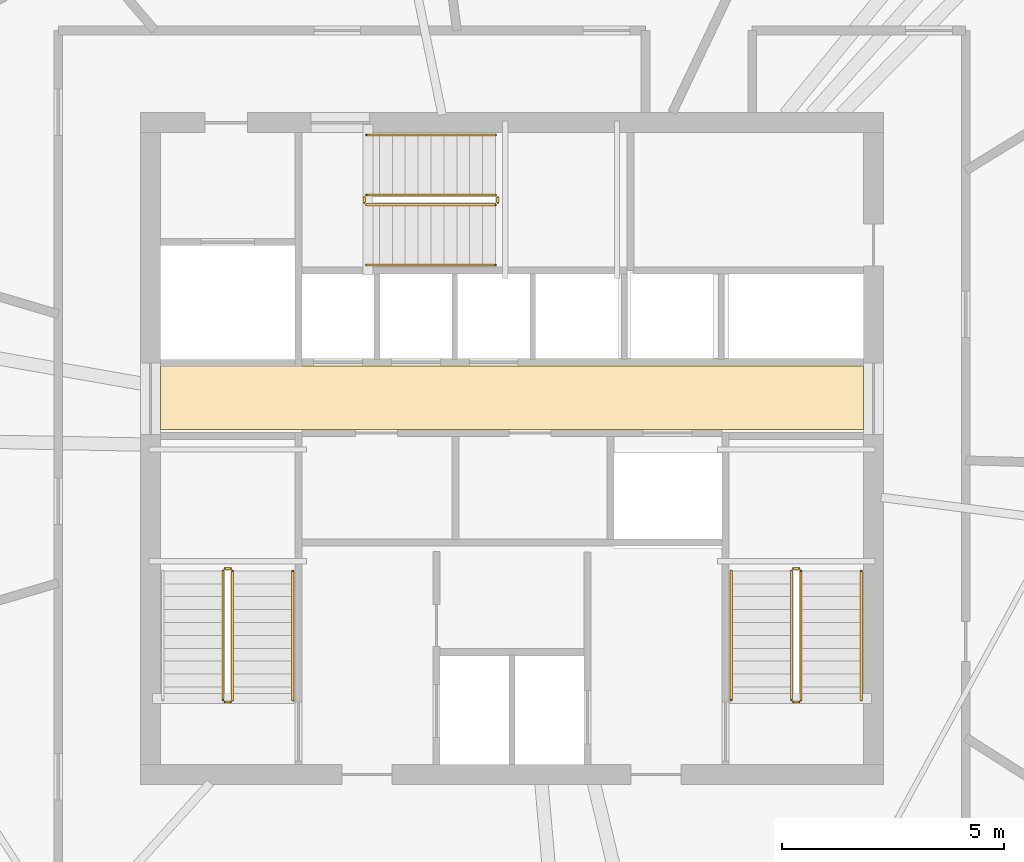
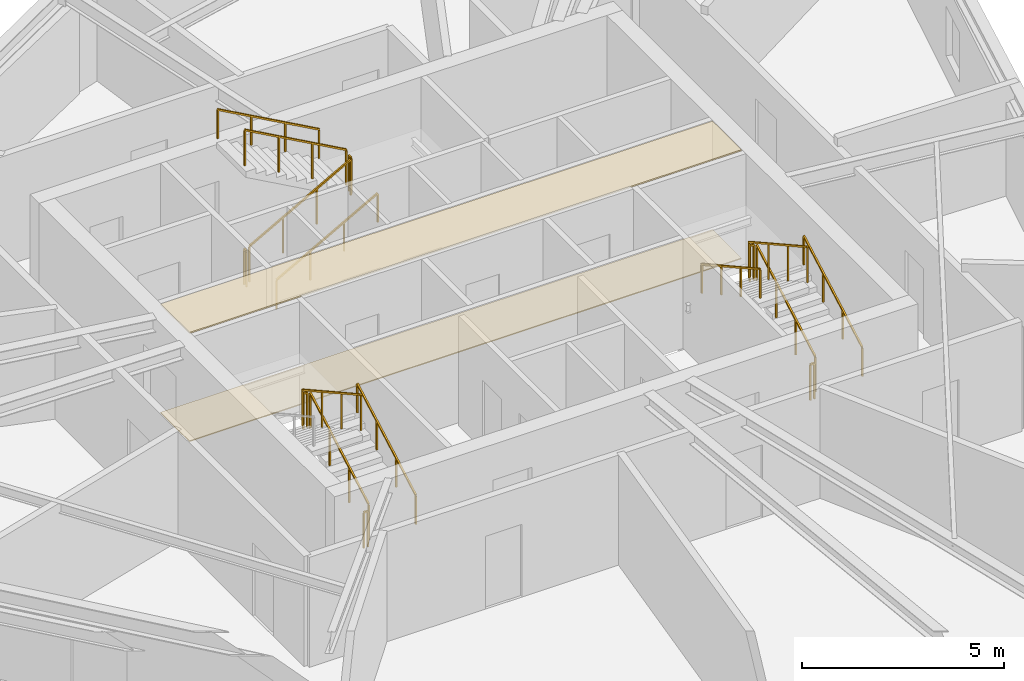
# One storey, part 12 of 13: 17 railings, 2 coverings.
"""IFC4 building model written with IfcOpenShell, lengths in metres."""

from ifc_helpers import new_model, si_unit, direction, frame, origin, origin_2d, place, context, subcontext, project, spatial, polyline, rectangle, outline, extrude, material, layer, layer_set, type_object, element, save


model = new_model("IFC4")

# Units and contexts
model_context = context("Model", 3, precision=1e-05, world=origin(), true_north=direction((0.0, 1.0)))
body_context = subcontext(model_context, "Body", "Model", "MODEL_VIEW")
ifc_project = project(units=[si_unit("LENGTHUNIT", "METRE"), si_unit("AREAUNIT", "SQUARE_METRE"), si_unit("VOLUMEUNIT", "CUBIC_METRE"), si_unit("PLANEANGLEUNIT", "RADIAN"), si_unit("MASSUNIT", "GRAM", prefix="KILO")], contexts=[model_context])

# Site, building, storey
site_placement = place(None, origin())
site = spatial("IfcSite", under=ifc_project, at=site_placement, CompositionType="ELEMENT")
building_placement = place(site_placement, origin())
building = spatial("IfcBuilding", under=site, at=building_placement, Name="Olszyna Solenne Hotel", CompositionType="ELEMENT")
storey_placement = place(building_placement, frame((0.0, 0.0, 227.35009765625)))
storey = spatial("IfcBuildingStorey", under=building, at=storey_placement, Name="L60", CompositionType="ELEMENT", Elevation=227.35009765625)

# Coverings
ifc_material_1 = material(Name="Mineral wool acoustic ceiling")
ifc_layer_1 = layer(ifc_material_1, 0.0400390625, Name="Mineral wool acoustic ceiling")
ifc_layer_set_1 = layer_set([ifc_layer_1], Name="Mineral wool acoustic ceiling")
covering_type_1 = type_object("IfcCoveringType", Name="CL-AC1", PredefinedType="CEILING", material=ifc_layer_set_1)
covering_1_placement = place(storey_placement, frame((0.0, 0.0, 3.27001953125)))
element("IfcCovering", 1, at=covering_1_placement, inside=storey, type_object=covering_type_1, Name="Lift lobby acoustic tile ceiling CL-L60-01", PredefinedType="CEILING", context=body_context, shape_type="SweptSolid", body=[
    extrude(outline(polyline([(30.10009765625, 27.030029296875), (45.89990234375, 27.030029296875), (45.89990234375, 28.4599609375), (30.10009765625, 28.4599609375), (30.10009765625, 27.030029296875)])), origin(), (0.0, 0.0, 1.0), 0.039794921875),
])
ifc_material_2 = material(Name="Ceramic floor tile")
ifc_layer_2 = layer(ifc_material_2, 0.030029296875, Name="Ceramic floor tile")
ifc_layer_set_2 = layer_set([ifc_layer_2], Name="Ceramic floor tile")
covering_type_2 = type_object("IfcCoveringType", Name="FL-TL1", PredefinedType="FLOORING", material=ifc_layer_set_2)
covering_2_placement = place(storey_placement, origin())
element("IfcCovering", 2, at=covering_2_placement, inside=storey, type_object=covering_type_2, Name="Lift lobby stoneware floor finish FLR-L60-01", PredefinedType="FLOORING", context=body_context, shape_type="SweptSolid", body=[
    extrude(outline(polyline([(30.10009765625, 27.030029296875), (45.89990234375, 27.030029296875), (45.89990234375, 28.4599609375), (30.10009765625, 28.4599609375), (30.10009765625, 27.030029296875)])), origin(), (0.0, 0.0, 1.0), 0.02978515625),
])

# Railings
ifc_material_3 = material(Name="Anodised bronze aluminium", Category="aluminium")
railing_type_1 = type_object("IfcRailingType", Name="GR-110", PredefinedType="BALUSTRADE", material=ifc_material_3)
railing_1_placement = place(storey_placement, frame((31.719970703125, 20.949951171875, 0.161376953125)))
element("IfcRailing", 3, at=railing_1_placement, inside=storey, type_object=railing_type_1, Name="L60 ST1 stair guard 1", PredefinedType="BALUSTRADE", context=body_context, shape_type="SweptSolid", body=[
    extrude(rectangle(XDim=0.048095703125, YDim=0.048095703125, at=origin_2d()), frame((0.0, 0.0, 1.076171875), z_axis=(0.0, 0.873858693841, 0.486179990537), x_axis=(-1.0, 0.0, 0.0)), (0.0, 0.0, 1.0), 3.31884765625),
    extrude(rectangle(XDim=0.0419921875, YDim=0.0419921875, at=origin_2d()), origin(), (0.0, 0.0, 1.0), 1.052001953125),
    extrude(rectangle(XDim=0.0419921875, YDim=0.0419921875, at=origin_2d()), frame((0.0, 0.966796875, 0.537841796875)), (0.0, 0.0, 1.0), 1.052001953125),
    extrude(rectangle(XDim=0.0419921875, YDim=0.0419921875, at=origin_2d()), frame((0.0, 1.933349609375, 1.07568359375)), (0.0, 0.0, 1.0), 1.052001953125),
    extrude(rectangle(XDim=0.0419921875, YDim=0.0419921875, at=origin_2d()), frame((0.0, 2.900146484375, 1.613525390625)), (0.0, 0.0, 1.0), 1.052001953125),
])
railing_2_placement = place(storey_placement, frame((31.669921875, 23.89990234375, 1.77490234375)))
element("IfcRailing", 4, at=railing_2_placement, inside=storey, type_object=railing_type_1, Name="L60 ST1 stair guard 2", PredefinedType="BALUSTRADE", context=body_context, shape_type="SweptSolid", body=[
    extrude(rectangle(XDim=0.048095703125, YDim=0.048095703125, at=origin_2d()), frame((0.0, 0.0, 1.076171875), z_axis=(-1.0, 0.0, 0.0), x_axis=(0.0, -1.0, 0.0)), (0.0, 0.0, 1.0), 0.119873046875),
    extrude(rectangle(XDim=0.0419921875, YDim=0.0419921875, at=origin_2d()), origin(), (0.0, 0.0, 1.0), 1.052001953125),
    extrude(rectangle(XDim=0.0419921875, YDim=0.0419921875, at=origin_2d()), frame((-0.119873046875, 0.0, 0.0)), (0.0, 0.0, 1.0), 1.052001953125),
])
railing_3_placement = place(storey_placement, frame((31.5, 23.85009765625, 1.936279296875)))
element("IfcRailing", 5, at=railing_3_placement, inside=storey, type_object=railing_type_1, Name="L60 ST1 stair guard 3", PredefinedType="BALUSTRADE", context=body_context, shape_type="SweptSolid", body=[
    extrude(rectangle(XDim=0.048095703125, YDim=0.048095703125, at=origin_2d()), frame((0.0, 0.0, 1.076171875), z_axis=(0.0, -0.873858693841, 0.486179990537), x_axis=(1.0, 0.0, 0.0)), (0.0, 0.0, 1.0), 3.31884765625),
    extrude(rectangle(XDim=0.0419921875, YDim=0.0419921875, at=origin_2d()), origin(), (0.0, 0.0, 1.0), 1.052001953125),
    extrude(rectangle(XDim=0.0419921875, YDim=0.0419921875, at=origin_2d()), frame((0.0, -0.966796875, 0.537841796875)), (0.0, 0.0, 1.0), 1.052001953125),
    extrude(rectangle(XDim=0.0419921875, YDim=0.0419921875, at=origin_2d()), frame((0.0, -1.933349609375, 1.07568359375)), (0.0, 0.0, 1.0), 1.052001953125),
    extrude(rectangle(XDim=0.0419921875, YDim=0.0419921875, at=origin_2d()), frame((0.0, -2.900146484375, 1.613525390625)), (0.0, 0.0, 1.0), 1.052001953125),
])
railing_4_placement = place(storey_placement, frame((31.669921875, 20.89990234375, 0.0)))
element("IfcRailing", 6, at=railing_4_placement, inside=storey, type_object=railing_type_1, Name="L60 ST1 stair guard 4", PredefinedType="BALUSTRADE", context=body_context, shape_type="SweptSolid", body=[
    extrude(rectangle(XDim=0.048095703125, YDim=0.048095703125, at=origin_2d()), frame((0.0, 0.0, 1.076171875), z_axis=(-1.0, 0.0, 0.0), x_axis=(0.0, -1.0, 0.0)), (0.0, 0.0, 1.0), 0.119873046875),
    extrude(rectangle(XDim=0.0419921875, YDim=0.0419921875, at=origin_2d()), origin(), (0.0, 0.0, 1.0), 1.052001953125),
    extrude(rectangle(XDim=0.0419921875, YDim=0.0419921875, at=origin_2d()), frame((-0.119873046875, 0.0, 0.0)), (0.0, 0.0, 1.0), 1.052001953125),
])
railing_5_placement = place(storey_placement, frame((44.5, 20.949951171875, 0.161376953125)))
element("IfcRailing", 7, at=railing_5_placement, inside=storey, type_object=railing_type_1, Name="L60 ST2 stair guard 1", PredefinedType="BALUSTRADE", context=body_context, shape_type="SweptSolid", body=[
    extrude(rectangle(XDim=0.048095703125, YDim=0.048095703125, at=origin_2d()), frame((0.0, 0.0, 1.076171875), z_axis=(0.0, 0.873858693841, 0.486179990537), x_axis=(-1.0, 0.0, 0.0)), (0.0, 0.0, 1.0), 3.31884765625),
    extrude(rectangle(XDim=0.0419921875, YDim=0.0419921875, at=origin_2d()), origin(), (0.0, 0.0, 1.0), 1.052001953125),
    extrude(rectangle(XDim=0.0419921875, YDim=0.0419921875, at=origin_2d()), frame((0.0, 0.966796875, 0.537841796875)), (0.0, 0.0, 1.0), 1.052001953125),
    extrude(rectangle(XDim=0.0419921875, YDim=0.0419921875, at=origin_2d()), frame((0.0, 1.933349609375, 1.07568359375)), (0.0, 0.0, 1.0), 1.052001953125),
    extrude(rectangle(XDim=0.0419921875, YDim=0.0419921875, at=origin_2d()), frame((0.0, 2.900146484375, 1.613525390625)), (0.0, 0.0, 1.0), 1.052001953125),
])
railing_6_placement = place(storey_placement, frame((44.449951171875, 23.89990234375, 1.77490234375)))
element("IfcRailing", 8, at=railing_6_placement, inside=storey, type_object=railing_type_1, Name="L60 ST2 stair guard 2", PredefinedType="BALUSTRADE", context=body_context, shape_type="SweptSolid", body=[
    extrude(rectangle(XDim=0.048095703125, YDim=0.048095703125, at=origin_2d()), frame((0.0, 0.0, 1.076171875), z_axis=(-1.0, 0.0, 0.0), x_axis=(0.0, -1.0, 0.0)), (0.0, 0.0, 1.0), 0.119873046875),
    extrude(rectangle(XDim=0.0419921875, YDim=0.0419921875, at=origin_2d()), origin(), (0.0, 0.0, 1.0), 1.052001953125),
    extrude(rectangle(XDim=0.0419921875, YDim=0.0419921875, at=origin_2d()), frame((-0.119873046875, 0.0, 0.0)), (0.0, 0.0, 1.0), 1.052001953125),
])
railing_7_placement = place(storey_placement, frame((44.280029296875, 23.85009765625, 1.936279296875)))
element("IfcRailing", 9, at=railing_7_placement, inside=storey, type_object=railing_type_1, Name="L60 ST2 stair guard 3", PredefinedType="BALUSTRADE", context=body_context, shape_type="SweptSolid", body=[
    extrude(rectangle(XDim=0.048095703125, YDim=0.048095703125, at=origin_2d()), frame((0.0, 0.0, 1.076171875), z_axis=(0.0, -0.873858693841, 0.486179990537), x_axis=(1.0, 0.0, 0.0)), (0.0, 0.0, 1.0), 3.31884765625),
    extrude(rectangle(XDim=0.0419921875, YDim=0.0419921875, at=origin_2d()), origin(), (0.0, 0.0, 1.0), 1.052001953125),
    extrude(rectangle(XDim=0.0419921875, YDim=0.0419921875, at=origin_2d()), frame((0.0, -0.966796875, 0.537841796875)), (0.0, 0.0, 1.0), 1.052001953125),
    extrude(rectangle(XDim=0.0419921875, YDim=0.0419921875, at=origin_2d()), frame((0.0, -1.933349609375, 1.07568359375)), (0.0, 0.0, 1.0), 1.052001953125),
    extrude(rectangle(XDim=0.0419921875, YDim=0.0419921875, at=origin_2d()), frame((0.0, -2.900146484375, 1.613525390625)), (0.0, 0.0, 1.0), 1.052001953125),
])
railing_8_placement = place(storey_placement, frame((44.449951171875, 20.89990234375, 0.0)))
element("IfcRailing", 10, at=railing_8_placement, inside=storey, type_object=railing_type_1, Name="L60 ST2 stair guard 4", PredefinedType="BALUSTRADE", context=body_context, shape_type="SweptSolid", body=[
    extrude(rectangle(XDim=0.048095703125, YDim=0.048095703125, at=origin_2d()), frame((0.0, 0.0, 1.076171875), z_axis=(-1.0, 0.0, 0.0), x_axis=(0.0, -1.0, 0.0)), (0.0, 0.0, 1.0), 0.119873046875),
    extrude(rectangle(XDim=0.0419921875, YDim=0.0419921875, at=origin_2d()), origin(), (0.0, 0.0, 1.0), 1.052001953125),
    extrude(rectangle(XDim=0.0419921875, YDim=0.0419921875, at=origin_2d()), frame((-0.119873046875, 0.0, 0.0)), (0.0, 0.0, 1.0), 1.052001953125),
])
railing_9_placement = place(storey_placement, frame((34.72998046875, 32.080078125, 0.161376953125)))
element("IfcRailing", 11, at=railing_9_placement, inside=storey, type_object=railing_type_1, Name="L60 ST3 stair guard 1", PredefinedType="BALUSTRADE", context=body_context, shape_type="SweptSolid", body=[
    extrude(rectangle(XDim=0.048095703125, YDim=0.048095703125, at=origin_2d()), frame((0.0, 0.0, 1.076171875), z_axis=(0.873841303929, 0.0, 0.486211245805), x_axis=(0.0, 1.0, 0.0)), (0.0, 0.0, 1.0), 3.318603515625),
    extrude(rectangle(XDim=0.0419921875, YDim=0.0419921875, at=origin_2d()), origin(), (0.0, 0.0, 1.0), 1.052001953125),
    extrude(rectangle(XDim=0.0419921875, YDim=0.0419921875, at=origin_2d()), frame((0.966552734375, 0.0, 0.537841796875)), (0.0, 0.0, 1.0), 1.052001953125),
    extrude(rectangle(XDim=0.0419921875, YDim=0.0419921875, at=origin_2d()), frame((1.933349609375, 0.0, 1.07568359375)), (0.0, 0.0, 1.0), 1.052001953125),
    extrude(rectangle(XDim=0.0419921875, YDim=0.0419921875, at=origin_2d()), frame((2.89990234375, 0.0, 1.613525390625)), (0.0, 0.0, 1.0), 1.052001953125),
])
railing_10_placement = place(storey_placement, frame((37.679931640625, 32.1298828125, 1.77490234375)))
element("IfcRailing", 12, at=railing_10_placement, inside=storey, type_object=railing_type_1, Name="L60 ST3 stair guard 2", PredefinedType="BALUSTRADE", context=body_context, shape_type="SweptSolid", body=[
    extrude(rectangle(XDim=0.048095703125, YDim=0.048095703125, at=origin_2d()), frame((0.0, 0.0, 1.076171875), z_axis=(0.0, 1.0, 0.0), x_axis=(-1.0, 0.0, 0.0)), (0.0, 0.0, 1.0), 0.1201171875),
    extrude(rectangle(XDim=0.0419921875, YDim=0.0419921875, at=origin_2d()), origin(), (0.0, 0.0, 1.0), 1.052001953125),
    extrude(rectangle(XDim=0.0419921875, YDim=0.0419921875, at=origin_2d()), frame((0.0, 0.1201171875, 0.0)), (0.0, 0.0, 1.0), 1.052001953125),
])
railing_11_placement = place(storey_placement, frame((37.6298828125, 32.300048828125, 1.936279296875)))
element("IfcRailing", 13, at=railing_11_placement, inside=storey, type_object=railing_type_1, Name="L60 ST3 stair guard 3", PredefinedType="BALUSTRADE", context=body_context, shape_type="SweptSolid", body=[
    extrude(rectangle(XDim=0.048095703125, YDim=0.048095703125, at=origin_2d()), frame((0.0, 0.0, 1.076171875), z_axis=(-0.873841303929, 0.0, 0.486211245805), x_axis=(0.0, -1.0, 0.0)), (0.0, 0.0, 1.0), 3.318603515625),
    extrude(rectangle(XDim=0.0419921875, YDim=0.0419921875, at=origin_2d()), origin(), (0.0, 0.0, 1.0), 1.052001953125),
    extrude(rectangle(XDim=0.0419921875, YDim=0.0419921875, at=origin_2d()), frame((-0.966552734375, 0.0, 0.537841796875)), (0.0, 0.0, 1.0), 1.052001953125),
    extrude(rectangle(XDim=0.0419921875, YDim=0.0419921875, at=origin_2d()), frame((-1.933349609375, 0.0, 1.07568359375)), (0.0, 0.0, 1.0), 1.052001953125),
    extrude(rectangle(XDim=0.0419921875, YDim=0.0419921875, at=origin_2d()), frame((-2.89990234375, 0.0, 1.613525390625)), (0.0, 0.0, 1.0), 1.052001953125),
])
railing_12_placement = place(storey_placement, frame((34.679931640625, 32.1298828125, 0.0)))
element("IfcRailing", 14, at=railing_12_placement, inside=storey, type_object=railing_type_1, Name="L60 ST3 stair guard 4", PredefinedType="BALUSTRADE", context=body_context, shape_type="SweptSolid", body=[
    extrude(rectangle(XDim=0.048095703125, YDim=0.048095703125, at=origin_2d()), frame((0.0, 0.0, 1.076171875), z_axis=(0.0, 1.0, 0.0), x_axis=(-1.0, 0.0, 0.0)), (0.0, 0.0, 1.0), 0.1201171875),
    extrude(rectangle(XDim=0.0419921875, YDim=0.0419921875, at=origin_2d()), origin(), (0.0, 0.0, 1.0), 1.052001953125),
    extrude(rectangle(XDim=0.0419921875, YDim=0.0419921875, at=origin_2d()), frame((0.0, 0.1201171875, 0.0)), (0.0, 0.0, 1.0), 1.052001953125),
])
ifc_material_4 = material(Name="Steel S355J2", Category="steel")
railing_type_2 = type_object("IfcRailingType", Name="HR-090", PredefinedType="HANDRAIL", material=ifc_material_4)
for number, where, name in (
    (15, (33.070068359375, 20.949951171875, 0.161376953125), "L60 ST1 stair handrail 1"),
    (16, (45.85009765625, 20.949951171875, 0.161376953125), "L60 ST2 stair handrail 1"),
):
    element("IfcRailing", number, at=place(storey_placement, frame(where)), inside=storey, type_object=railing_type_2, Name=name, PredefinedType="HANDRAIL", context=body_context, shape_type="SweptSolid", body=[
        extrude(rectangle(XDim=0.048095703125, YDim=0.048095703125, at=origin_2d()), frame((0.0, 0.0, 0.8759765625), z_axis=(0.0, 0.873858693841, 0.486179990537), x_axis=(-1.0, 0.0, 0.0)), (0.0, 0.0, 1.0), 3.31884765625),
        extrude(rectangle(XDim=0.0419921875, YDim=0.0419921875, at=origin_2d()), origin(), (0.0, 0.0, 1.0), 0.851806640625),
        extrude(rectangle(XDim=0.0419921875, YDim=0.0419921875, at=origin_2d()), frame((0.0, 0.966796875, 0.537841796875)), (0.0, 0.0, 1.0), 0.851806640625),
        extrude(rectangle(XDim=0.0419921875, YDim=0.0419921875, at=origin_2d()), frame((0.0, 1.933349609375, 1.07568359375)), (0.0, 0.0, 1.0), 0.851806640625),
        extrude(rectangle(XDim=0.0419921875, YDim=0.0419921875, at=origin_2d()), frame((0.0, 2.900146484375, 1.613525390625)), (0.0, 0.0, 1.0), 0.851806640625),
    ])
railing_13_placement = place(storey_placement, frame((42.929931640625, 23.85009765625, 1.936279296875)))
element("IfcRailing", 17, at=railing_13_placement, inside=storey, type_object=railing_type_2, Name="L60 ST2 stair handrail 2", PredefinedType="HANDRAIL", context=body_context, shape_type="SweptSolid", body=[
    extrude(rectangle(XDim=0.048095703125, YDim=0.048095703125, at=origin_2d()), frame((0.0, 0.0, 0.8759765625), z_axis=(0.0, -0.873858693841, 0.486179990537), x_axis=(1.0, 0.0, 0.0)), (0.0, 0.0, 1.0), 3.31884765625),
    extrude(rectangle(XDim=0.0419921875, YDim=0.0419921875, at=origin_2d()), origin(), (0.0, 0.0, 1.0), 0.851806640625),
    extrude(rectangle(XDim=0.0419921875, YDim=0.0419921875, at=origin_2d()), frame((0.0, -0.966796875, 0.537841796875)), (0.0, 0.0, 1.0), 0.851806640625),
    extrude(rectangle(XDim=0.0419921875, YDim=0.0419921875, at=origin_2d()), frame((0.0, -1.933349609375, 1.07568359375)), (0.0, 0.0, 1.0), 0.851806640625),
    extrude(rectangle(XDim=0.0419921875, YDim=0.0419921875, at=origin_2d()), frame((0.0, -2.900146484375, 1.613525390625)), (0.0, 0.0, 1.0), 0.851806640625),
])
railing_14_placement = place(storey_placement, frame((34.72998046875, 30.72998046875, 0.161376953125)))
element("IfcRailing", 18, at=railing_14_placement, inside=storey, type_object=railing_type_2, Name="L60 ST3 stair handrail 1", PredefinedType="HANDRAIL", context=body_context, shape_type="SweptSolid", body=[
    extrude(rectangle(XDim=0.048095703125, YDim=0.048095703125, at=origin_2d()), frame((0.0, 0.0, 0.8759765625), z_axis=(0.873841303929, 0.0, 0.486211245805), x_axis=(0.0, 1.0, 0.0)), (0.0, 0.0, 1.0), 3.318603515625),
    extrude(rectangle(XDim=0.0419921875, YDim=0.0419921875, at=origin_2d()), origin(), (0.0, 0.0, 1.0), 0.851806640625),
    extrude(rectangle(XDim=0.0419921875, YDim=0.0419921875, at=origin_2d()), frame((0.966552734375, 0.0, 0.537841796875)), (0.0, 0.0, 1.0), 0.851806640625),
    extrude(rectangle(XDim=0.0419921875, YDim=0.0419921875, at=origin_2d()), frame((1.933349609375, 0.0, 1.07568359375)), (0.0, 0.0, 1.0), 0.851806640625),
    extrude(rectangle(XDim=0.0419921875, YDim=0.0419921875, at=origin_2d()), frame((2.89990234375, 0.0, 1.613525390625)), (0.0, 0.0, 1.0), 0.851806640625),
])
railing_15_placement = place(storey_placement, frame((37.6298828125, 33.64990234375, 1.936279296875)))
element("IfcRailing", 19, at=railing_15_placement, inside=storey, type_object=railing_type_2, Name="L60 ST3 stair handrail 2", PredefinedType="HANDRAIL", context=body_context, shape_type="SweptSolid", body=[
    extrude(rectangle(XDim=0.048095703125, YDim=0.048095703125, at=origin_2d()), frame((0.0, 0.0, 0.8759765625), z_axis=(-0.873841303929, 0.0, 0.486211245805), x_axis=(0.0, -1.0, 0.0)), (0.0, 0.0, 1.0), 3.318603515625),
    extrude(rectangle(XDim=0.0419921875, YDim=0.0419921875, at=origin_2d()), origin(), (0.0, 0.0, 1.0), 0.851806640625),
    extrude(rectangle(XDim=0.0419921875, YDim=0.0419921875, at=origin_2d()), frame((-0.966552734375, 0.0, 0.537841796875)), (0.0, 0.0, 1.0), 0.851806640625),
    extrude(rectangle(XDim=0.0419921875, YDim=0.0419921875, at=origin_2d()), frame((-1.933349609375, 0.0, 1.07568359375)), (0.0, 0.0, 1.0), 0.851806640625),
    extrude(rectangle(XDim=0.0419921875, YDim=0.0419921875, at=origin_2d()), frame((-2.89990234375, 0.0, 1.613525390625)), (0.0, 0.0, 1.0), 0.851806640625),
])

save(model, "model.ifc")
